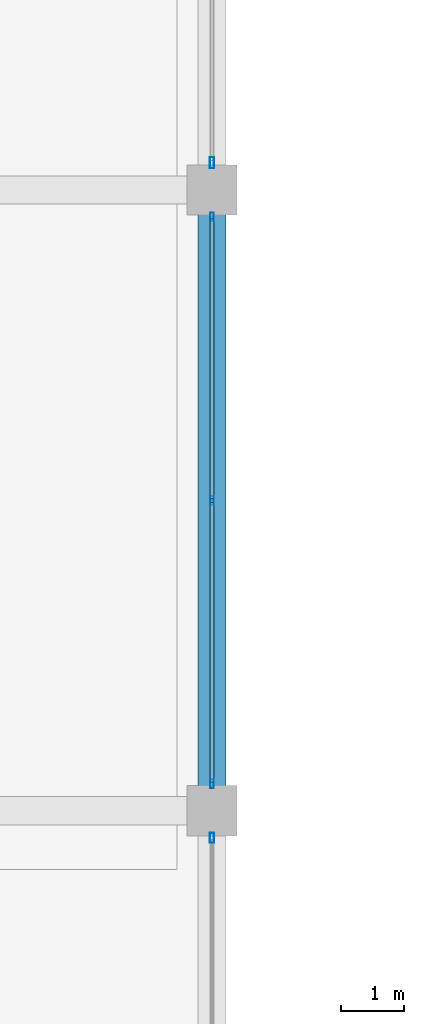
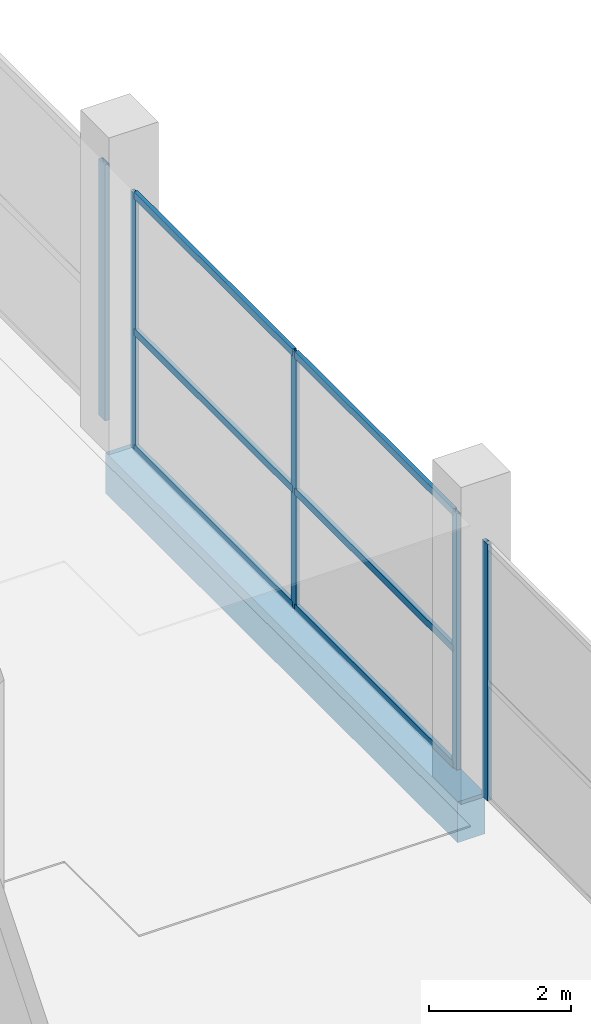
# One storey, part 12 of 74: 11 members, 1 beam, 3 elements without a shape of their own.
"""IFC4 building model written with IfcOpenShell, lengths in metres."""

import ifcopenshell
import ifcopenshell.guid

model = None  # the IFC model being written
_history = None  # IfcOwnerHistory: only IFC2X3 demands one
_inside = {}  # id of a spatial element -> (the spatial element, [elements in it])
_under = {}  # id of a project, library or spatial element -> (it, [spatial elements below it])
_declared = {}  # id of a project -> (the project, [libraries it declares])
_typed = {}  # id of a type object -> (the type object, [elements of that type])
_made_of = {}  # id of a material, layer set ... -> (it, [elements and type objects made of it])


def new_model(schema):
    """Start an empty IFC model of exactly this schema.

    Asked for "IFC4X3", IfcOpenShell would pick the latest addendum, in which some entities
    have other attributes; the version numbers below select the first issue.
    IFC2X3 requires an IfcOwnerHistory on every rooted entity: one is made here for all.
    """
    global model, _history
    if schema == "IFC4X3":
        model = ifcopenshell.file(schema_version=(4, 3, 0, 0))
    else:
        model = ifcopenshell.file(schema=schema)
    _inside.clear()
    _under.clear()
    _declared.clear()
    _typed.clear()
    _made_of.clear()
    _history = None
    if model.schema == "IFC2X3":
        org = make("IfcOrganization", Name="unknown")
        user = make(
            "IfcPersonAndOrganization",
            ThePerson=make("IfcPerson", FamilyName="unknown"),
            TheOrganization=org,
        )
        app = make(
            "IfcApplication",
            ApplicationDeveloper=org,
            Version="unknown",
            ApplicationFullName="unknown",
            ApplicationIdentifier="unknown",
        )
        _history = make(
            "IfcOwnerHistory",
            OwningUser=user,
            OwningApplication=app,
            ChangeAction="ADDED",
            CreationDate=0,
        )
    return model


def make(cls, **values):
    """One entity of the class cls with the attributes given. An attribute that is None is left unset."""
    return model.create_entity(
        cls, **{name: value for name, value in values.items() if value is not None}
    )


def rooted(cls, **values):
    """An entity with a GlobalId (a new one), such as an element, a storey or a relation."""
    return make(cls, GlobalId=ifcopenshell.guid.new(), OwnerHistory=_history, **values)


def si_unit(unit_type, name, prefix=None):
    """IfcSIUnit, for example si_unit("LENGTHUNIT", "METRE", prefix="MILLI")."""
    return make("IfcSIUnit", UnitType=unit_type, Prefix=prefix, Name=name)


def assignment(units):
    """IfcUnitAssignment: the units of a project."""
    return None if units is None else make("IfcUnitAssignment", Units=units)


def point(xyz):
    """IfcCartesianPoint."""
    return None if xyz is None else make("IfcCartesianPoint", Coordinates=xyz)


def direction(xyz):
    """IfcDirection."""
    return None if xyz is None else make("IfcDirection", DirectionRatios=xyz)


def frame(location, z_axis=None, x_axis=None):
    """IfcAxis2Placement3D, a coordinate frame: its origin and axes. An axis left out is left unset."""
    return make(
        "IfcAxis2Placement3D",
        Location=point(location),
        Axis=direction(z_axis),
        RefDirection=direction(x_axis),
    )


def frame_2d(location, x_axis=None):
    """IfcAxis2Placement2D, a coordinate frame in the plane: its origin and x axis."""
    return make(
        "IfcAxis2Placement2D", Location=point(location), RefDirection=direction(x_axis)
    )


def origin():
    """The frame at (0, 0, 0) with its axes left unset."""
    return frame((0.0, 0.0, 0.0))


def origin_2d():
    """The frame at (0, 0) in the plane with its x axis left unset."""
    return frame_2d((0.0, 0.0))


def place(relative_to, where):
    """IfcLocalPlacement: puts the frame where relative to a parent placement (None: the world)."""
    return make(
        "IfcLocalPlacement", PlacementRelTo=relative_to, RelativePlacement=where
    )


def context(
    kind, dimensions, precision=None, world=None, true_north=None, identifier=None
):
    """IfcGeometricRepresentationContext, for example the 3D "Model" context."""
    return make(
        "IfcGeometricRepresentationContext",
        ContextIdentifier=identifier,
        ContextType=kind,
        CoordinateSpaceDimension=dimensions,
        Precision=precision,
        WorldCoordinateSystem=world,
        TrueNorth=true_north,
    )


def subcontext(parent, identifier, kind, view, scale=None):
    """IfcGeometricRepresentationSubContext, for example "Body" below "Model"."""
    return make(
        "IfcGeometricRepresentationSubContext",
        ContextIdentifier=identifier,
        ContextType=kind,
        ParentContext=parent,
        TargetScale=scale,
        TargetView=view,
    )


def project(units=None, contexts=None):
    """IfcProject with its units and contexts."""
    return rooted(
        "IfcProject",
        Name="project",
        RepresentationContexts=contexts,
        UnitsInContext=assignment(units),
    )


def spatial(cls, under=None, at=None, **own):
    """A site, building, storey or space (cls), placed at a placement, below another one or the project."""
    s = rooted(cls, ObjectPlacement=at, **own)
    if under is not None:
        _under.setdefault(under.id(), (under, []))[1].append(s)
    return s


def profile(cls, at=None, kind="AREA", **sizes):
    """A parametric profile (cls). Its sizes go by their IFC names, for example OverallWidth=200.0."""
    return make(cls, ProfileType=kind, Position=at, **sizes)


def rectangle(**sizes):
    """IfcRectangleProfileDef."""
    return profile("IfcRectangleProfileDef", **sizes)


def hollow_rectangle(**sizes):
    """IfcRectangleHollowProfileDef."""
    return profile("IfcRectangleHollowProfileDef", **sizes)


def extrude(swept, where, along, depth):
    """IfcExtrudedAreaSolid: the profile swept, set in the frame where, extruded along a direction by depth."""
    return make(
        "IfcExtrudedAreaSolid",
        SweptArea=swept,
        Position=where,
        ExtrudedDirection=direction(along),
        Depth=depth,
    )


def shape(context_of_items, identifier, shape_type, items):
    """IfcShapeRepresentation: the items that make up one representation, for example the "Body"."""
    return make(
        "IfcShapeRepresentation",
        ContextOfItems=context_of_items,
        RepresentationIdentifier=identifier,
        RepresentationType=shape_type,
        Items=items,
    )


def material(Name=None, Category=None):
    """IfcMaterial."""
    return make("IfcMaterial", Name=Name, Category=Category)


def layer(
    of_material, thickness, ventilated=None, Name=None, Category=None, Priority=None
):
    """IfcMaterialLayer: one layer of a wall or slab, of a material (None: an air gap)."""
    return make(
        "IfcMaterialLayer",
        Material=of_material,
        LayerThickness=thickness,
        IsVentilated=ventilated,
        Name=Name,
        Category=Category,
        Priority=Priority,
    )


def layer_set(layers, Name=None):
    """IfcMaterialLayerSet."""
    return make("IfcMaterialLayerSet", MaterialLayers=layers, LayerSetName=Name)


def material_profile(
    of_material, cross_section, Name=None, Category=None, Priority=None
):
    """IfcMaterialProfile: a cross section and its material."""
    return make(
        "IfcMaterialProfile",
        Name=Name,
        Material=of_material,
        Profile=cross_section,
        Priority=Priority,
        Category=Category,
    )


def profile_set(profiles, Name=None, composite=None):
    """IfcMaterialProfileSet."""
    return make(
        "IfcMaterialProfileSet",
        Name=Name,
        MaterialProfiles=profiles,
        CompositeProfile=composite,
    )


def made_of(thing, what):
    """Note that an element or type object is made of a material, layer set ...; save() writes the relation."""
    if what is not None:
        _made_of.setdefault(what.id(), (what, []))[1].append(thing)
    return thing


def type_object(cls, material=None, **own):
    """A type object (cls), such as IfcWallType, which elements share."""
    return made_of(rooted(cls, **own), material)


def element(
    cls,
    number,
    at=None,
    inside=None,
    cuts=None,
    type_object=None,
    material=None,
    context=None,
    identifier="Body",
    shape_type=None,
    held_by="IfcProductDefinitionShape",
    body=None,
    shapes=None,
    **own,
):
    """One element of the class cls, such as IfcWall. Its Tag is "e" and its number.

    at: its placement. inside: the storey or other place that contains it. cuts: it is an
    opening in that element (IfcRelVoidsElement). A single representation is given by context,
    identifier, shape_type and body (its items); several are given by shapes. held_by: the class
    of the entity that holds the representations. save() writes the other relations.
    """
    e = rooted(cls, Tag="e%d" % number, ObjectPlacement=at, **own)
    if body is not None:
        shapes = [shape(context, identifier, shape_type, body)]
    if shapes is not None:
        e.Representation = make(held_by, Representations=shapes)
    if inside is not None:
        _inside.setdefault(inside.id(), (inside, []))[1].append(e)
    if cuts is not None:
        rooted(
            "IfcRelVoidsElement", RelatingBuildingElement=cuts, RelatedOpeningElement=e
        )
    if type_object is not None:
        _typed.setdefault(type_object.id(), (type_object, []))[1].append(e)
    return made_of(e, material)


def aggregate(whole, parts):
    """IfcRelAggregates: a whole, such as a stair, and the parts it consists of."""
    return rooted("IfcRelAggregates", RelatingObject=whole, RelatedObjects=parts)


def save(model, path):
    """Write the relations noted so far, then the file.

    IfcRelAggregates (storeys below a building ...), IfcRelContainedInSpatialStructure (elements
    in a storey), IfcRelDefinesByType, IfcRelAssociatesMaterial and IfcRelDeclares: one each for
    every whole, place, type object, material and project.
    """
    for whole, parts in _under.values():
        aggregate(whole, parts)
    for where, things in _inside.values():
        rooted(
            "IfcRelContainedInSpatialStructure",
            RelatedElements=things,
            RelatingStructure=where,
        )
    for kind, things in _typed.values():
        rooted("IfcRelDefinesByType", RelatedObjects=things, RelatingType=kind)
    for what, things in _made_of.values():
        rooted("IfcRelAssociatesMaterial", RelatedObjects=things, RelatingMaterial=what)
    for by, libraries in _declared.values():
        rooted("IfcRelDeclares", RelatingContext=by, RelatedDefinitions=libraries)
    model.write(path)


model = new_model("IFC4")

# Units and contexts
model_context = context("Model", 3, precision=1e-05, world=origin(), true_north=direction((0.0, 1.0)))
body_context = subcontext(model_context, "Body", "Model", "MODEL_VIEW")
ifc_project = project(units=[si_unit("LENGTHUNIT", "METRE"), si_unit("AREAUNIT", "SQUARE_METRE"), si_unit("VOLUMEUNIT", "CUBIC_METRE"), si_unit("PLANEANGLEUNIT", "RADIAN"), si_unit("MASSUNIT", "GRAM", prefix="KILO")], contexts=[model_context])

# Site, building, storey
site_placement = place(None, origin())
site = spatial("IfcSite", under=ifc_project, at=site_placement, CompositionType="ELEMENT")
building_placement = place(site_placement, origin())
building = spatial("IfcBuilding", under=site, at=building_placement, Name="Sillaruma Civic Art Gallery", CompositionType="ELEMENT")
storey_placement = place(building_placement, frame((0.0, 0.0, 5.43994140625)))
storey = spatial("IfcBuildingStorey", under=building, at=storey_placement, Name="L01", CompositionType="ELEMENT", Elevation=5.43994140625)

# Beam
ifc_material_1 = material(Name="Concrete H35 (35 MPa)", Category="concrete")
ifc_material_profile_1 = material_profile(ifc_material_1, rectangle(XDim=0.449951171875, YDim=0.699951171875, at=origin_2d()), Name="RCB450x700")
ifc_profile_set_1 = profile_set([ifc_material_profile_1], Name="Concrete H35 (35 MPa)")
beam_type = type_object("IfcBeamType", Name="BM-SPANDREL-RCB450x700", PredefinedType="SPANDREL", material=ifc_profile_set_1)
beam_placement = place(storey_placement, frame((114.39990234375, 49.5, -0.60986328125), z_axis=(0.0, 1.0, 0.0), x_axis=(-1.0, 0.0, 0.0)))
element("IfcBeam", 1, at=beam_placement, inside=storey, type_object=beam_type, Name="Beam BS-03 (L00:N:6-7)", PredefinedType="SPANDREL", context=body_context, shape_type="SweptSolid", body=[
    extrude(rectangle(XDim=0.449951171875, YDim=0.699951171875, at=origin_2d()), origin(), (0.0, 0.0, 1.0), 9.89990234375),
])

# Curtain wall, members
ifc_material_2 = material(Name="Thermally Broken Extruded Aluminium 6063-T6", Category="aluminium")
ifc_layer_1 = layer(ifc_material_2, 0.139892578125, Name="Thermally Broken Extruded Aluminium 6063-T6")
ifc_layer_set_1 = layer_set([ifc_layer_1], Name="Thermally Broken Extruded Aluminium 6063-T6")
curtain_wall_type_1 = type_object("IfcCurtainWallType", Name="CW-UNI-15", PredefinedType="NOTDEFINED", material=ifc_layer_set_1)
curtain_wall_1_placement = place(storey_placement, origin())
curtain_wall_1 = element("IfcCurtainWall", 2, at=curtain_wall_1_placement, inside=storey, type_object=curtain_wall_type_1, Name="Unitised Curtain Wall CW-15 (CW-L01-SPE-4)", PredefinedType="NOTDEFINED")
ifc_material_profile_2 = material_profile(ifc_material_2, hollow_rectangle(XDim=0.06005859375, YDim=0.139892578125, WallThickness=0.00341796875, at=origin_2d()), Name="CWM60x140")
ifc_profile_set_2 = profile_set([ifc_material_profile_2], Name="Thermally Broken Extruded Aluminium 6063-T6")
member_type_1 = type_object("IfcMemberType", Name="MEM-MUL-CWM60x140", PredefinedType="MULLION", material=ifc_profile_set_2)
member_1_placement = place(storey_placement, frame((114.39990234375, 49.929931640625, 0.0), z_axis=(0.0, 0.0, 1.0), x_axis=(-1.0, 0.0, 0.0)))
member_1 = element("IfcMember", 3, at=member_1_placement, type_object=member_type_1, Name="CW-15 mullion 1", PredefinedType="MULLION", context=body_context, shape_type="SweptSolid", body=[
    extrude(hollow_rectangle(XDim=0.06005859375, YDim=0.139892578125, WallThickness=0.00341796875, at=origin_2d()), origin(), (0.0, 0.0, 1.0), 4.400146484375),
])
member_2_placement = place(storey_placement, frame((114.39990234375, 54.449951171875, 0.0), z_axis=(0.0, 0.0, 1.0), x_axis=(-1.0, 0.0, 0.0)))
member_2 = element("IfcMember", 4, at=member_2_placement, type_object=member_type_1, Name="CW-15 mullion 2", PredefinedType="MULLION", context=body_context, shape_type="SweptSolid", body=[
    extrude(hollow_rectangle(XDim=0.06005859375, YDim=0.139892578125, WallThickness=0.00341796875, at=origin_2d()), origin(), (0.0, 0.0, 1.0), 4.400146484375),
])
member_3_placement = place(storey_placement, frame((114.39990234375, 58.969970703125, 0.0), z_axis=(0.0, 0.0, 1.0), x_axis=(-1.0, 0.0, 0.0)))
member_3 = element("IfcMember", 5, at=member_3_placement, type_object=member_type_1, Name="CW-15 mullion 3", PredefinedType="MULLION", context=body_context, shape_type="SweptSolid", body=[
    extrude(hollow_rectangle(XDim=0.06005859375, YDim=0.139892578125, WallThickness=0.00341796875, at=origin_2d()), origin(), (0.0, 0.0, 1.0), 4.400146484375),
])

# Curtain wall, member
ifc_layer_2 = layer(ifc_material_2, 0.159912109375, Name="Thermally Broken Extruded Aluminium 6063-T6")
ifc_layer_set_2 = layer_set([ifc_layer_2], Name="Thermally Broken Extruded Aluminium 6063-T6")
curtain_wall_type_2 = type_object("IfcCurtainWallType", Name="CW-UNI-14", PredefinedType="NOTDEFINED", material=ifc_layer_set_2)
curtain_wall_2_placement = place(storey_placement, origin())
curtain_wall_2 = element("IfcCurtainWall", 6, at=curtain_wall_2_placement, inside=storey, type_object=curtain_wall_type_2, Name="Unitised Curtain Wall CW-14 (CW-L01-SPE-3)", PredefinedType="NOTDEFINED")
ifc_material_profile_3 = material_profile(ifc_material_2, hollow_rectangle(XDim=0.06494140625, YDim=0.159912109375, WallThickness=0.00390625, at=origin_2d()), Name="CWM65x160")
ifc_profile_set_3 = profile_set([ifc_material_profile_3], Name="Thermally Broken Extruded Aluminium 6063-T6")
member_type_2 = type_object("IfcMemberType", Name="MEM-MUL-CWM65x160", PredefinedType="MULLION", material=ifc_profile_set_3)
member_4_placement = place(storey_placement, frame((114.39990234375, 49.0673828125, 0.0), z_axis=(0.0, 0.0, 1.0), x_axis=(-1.0, 0.0, 0.0)))
member_4 = element("IfcMember", 7, at=member_4_placement, type_object=member_type_2, Name="CW-14 mullion 3", PredefinedType="MULLION", context=body_context, shape_type="SweptSolid", body=[
    extrude(hollow_rectangle(XDim=0.06494140625, YDim=0.159912109375, WallThickness=0.00390625, at=origin_2d()), origin(), (0.0, 0.0, 1.0), 4.400146484375),
])
aggregate(curtain_wall_2, [member_4])

ifc_layer_3 = layer(ifc_material_2, 0.179931640625, Name="Thermally Broken Extruded Aluminium 6063-T6")
ifc_layer_set_3 = layer_set([ifc_layer_3], Name="Thermally Broken Extruded Aluminium 6063-T6")
curtain_wall_type_3 = type_object("IfcCurtainWallType", Name="CW-UNI-16", PredefinedType="NOTDEFINED", material=ifc_layer_set_3)
curtain_wall_3_placement = place(storey_placement, origin())
curtain_wall_3 = element("IfcCurtainWall", 8, at=curtain_wall_3_placement, inside=storey, type_object=curtain_wall_type_3, Name="Unitised Curtain Wall CW-16 (CW-L01-SPE-5)", PredefinedType="NOTDEFINED")
ifc_material_profile_4 = material_profile(ifc_material_2, hollow_rectangle(XDim=0.070068359375, YDim=0.179931640625, WallThickness=0.00390625, at=origin_2d()), Name="CWM70x180")
ifc_profile_set_4 = profile_set([ifc_material_profile_4], Name="Thermally Broken Extruded Aluminium 6063-T6")
member_type_3 = type_object("IfcMemberType", Name="MEM-MUL-CWM70x180", PredefinedType="MULLION", material=ifc_profile_set_4)
member_5_placement = place(storey_placement, frame((114.39990234375, 59.8349609375, 0.0), z_axis=(0.0, 0.0, 1.0), x_axis=(-1.0, 0.0, 0.0)))
member_5 = element("IfcMember", 9, at=member_5_placement, type_object=member_type_3, Name="CW-16 mullion 1", PredefinedType="MULLION", context=body_context, shape_type="SweptSolid", body=[
    extrude(hollow_rectangle(XDim=0.070068359375, YDim=0.179931640625, WallThickness=0.00390625, at=origin_2d()), origin(), (0.0, 0.0, 1.0), 4.400146484375),
])
aggregate(curtain_wall_3, [member_5])

# Member
ifc_material_profile_5 = material_profile(ifc_material_2, hollow_rectangle(XDim=0.06494140625, YDim=0.1201171875, WallThickness=0.00341796875, at=origin_2d()), Name="CWT65x120")
ifc_profile_set_5 = profile_set([ifc_material_profile_5], Name="Thermally Broken Extruded Aluminium 6063-T6")
member_type_4 = type_object("IfcMemberType", Name="MEM-TRN-CWT65x120", PredefinedType="USERDEFINED", material=ifc_profile_set_5)
member_6_placement = place(storey_placement, frame((114.39990234375, 49.9599609375, 0.032470703125), z_axis=(0.0, 1.0, 0.0), x_axis=(-1.0, 0.0, 0.0)))
member_6 = element("IfcMember", 10, at=member_6_placement, type_object=member_type_4, Name="CW-15 transom 1.1", ObjectType="TRANSOM", PredefinedType="USERDEFINED", context=body_context, shape_type="SweptSolid", body=[
    extrude(hollow_rectangle(XDim=0.06494140625, YDim=0.1201171875, WallThickness=0.00341796875, at=origin_2d()), origin(), (0.0, 0.0, 1.0), 4.4599609375),
])

member_7_placement = place(storey_placement, frame((114.39990234375, 49.9599609375, 2.024169921875), z_axis=(0.0, 1.0, 0.0), x_axis=(-1.0, 0.0, 0.0)))
member_7 = element("IfcMember", 11, at=member_7_placement, type_object=member_type_4, Name="CW-15 transom 1.2", ObjectType="TRANSOM", PredefinedType="USERDEFINED", context=body_context, shape_type="SweptSolid", body=[
    extrude(hollow_rectangle(XDim=0.06494140625, YDim=0.1201171875, WallThickness=0.00341796875, at=origin_2d()), origin(), (0.0, 0.0, 1.0), 4.4599609375),
])

member_8_placement = place(storey_placement, frame((114.39990234375, 49.9599609375, 4.36767578125), z_axis=(0.0, 1.0, 0.0), x_axis=(-1.0, 0.0, 0.0)))
member_8 = element("IfcMember", 12, at=member_8_placement, type_object=member_type_4, Name="CW-15 transom 1.3", ObjectType="TRANSOM", PredefinedType="USERDEFINED", context=body_context, shape_type="SweptSolid", body=[
    extrude(hollow_rectangle(XDim=0.06494140625, YDim=0.1201171875, WallThickness=0.00341796875, at=origin_2d()), origin(), (0.0, 0.0, 1.0), 4.4599609375),
])

member_9_placement = place(storey_placement, frame((114.39990234375, 54.47998046875, 0.032470703125), z_axis=(0.0, 1.0, 0.0), x_axis=(-1.0, 0.0, 0.0)))
member_9 = element("IfcMember", 13, at=member_9_placement, type_object=member_type_4, Name="CW-15 transom 2.1", ObjectType="TRANSOM", PredefinedType="USERDEFINED", context=body_context, shape_type="SweptSolid", body=[
    extrude(hollow_rectangle(XDim=0.06494140625, YDim=0.1201171875, WallThickness=0.00341796875, at=origin_2d()), origin(), (0.0, 0.0, 1.0), 4.4599609375),
])

member_10_placement = place(storey_placement, frame((114.39990234375, 54.47998046875, 2.024169921875), z_axis=(0.0, 1.0, 0.0), x_axis=(-1.0, 0.0, 0.0)))
member_10 = element("IfcMember", 14, at=member_10_placement, type_object=member_type_4, Name="CW-15 transom 2.2", ObjectType="TRANSOM", PredefinedType="USERDEFINED", context=body_context, shape_type="SweptSolid", body=[
    extrude(hollow_rectangle(XDim=0.06494140625, YDim=0.1201171875, WallThickness=0.00341796875, at=origin_2d()), origin(), (0.0, 0.0, 1.0), 4.4599609375),
])

member_11_placement = place(storey_placement, frame((114.39990234375, 54.47998046875, 4.36767578125), z_axis=(0.0, 1.0, 0.0), x_axis=(-1.0, 0.0, 0.0)))
member_11 = element("IfcMember", 15, at=member_11_placement, type_object=member_type_4, Name="CW-15 transom 2.3", ObjectType="TRANSOM", PredefinedType="USERDEFINED", context=body_context, shape_type="SweptSolid", body=[
    extrude(hollow_rectangle(XDim=0.06494140625, YDim=0.1201171875, WallThickness=0.00341796875, at=origin_2d()), origin(), (0.0, 0.0, 1.0), 4.4599609375),
])

aggregate(curtain_wall_1, [member_1, member_2, member_3, member_6, member_7, member_8, member_9, member_10, member_11])

save(model, "model.ifc")
